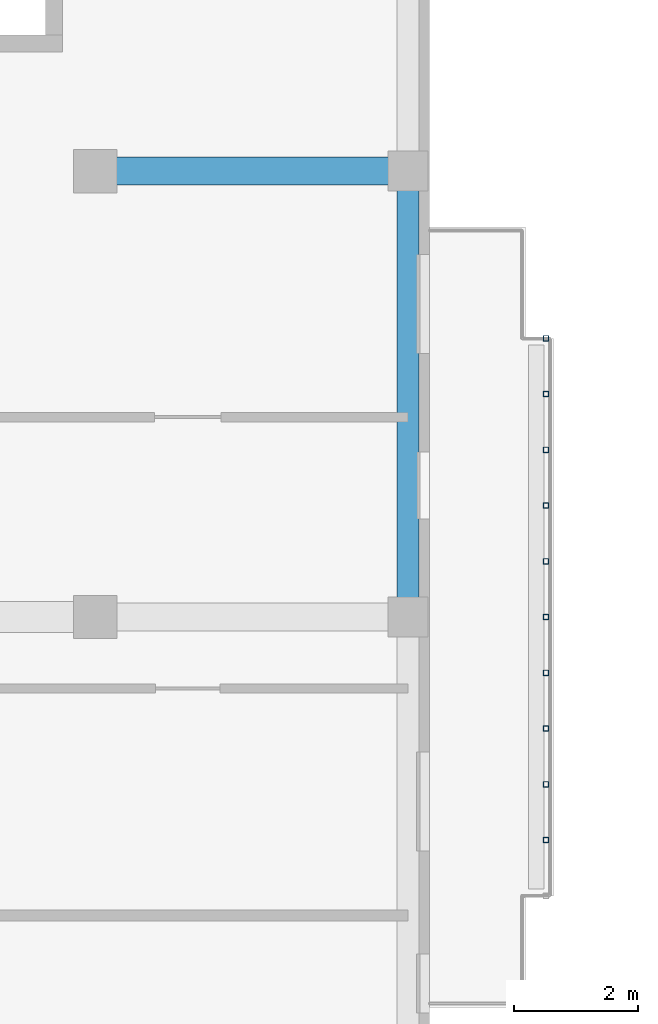
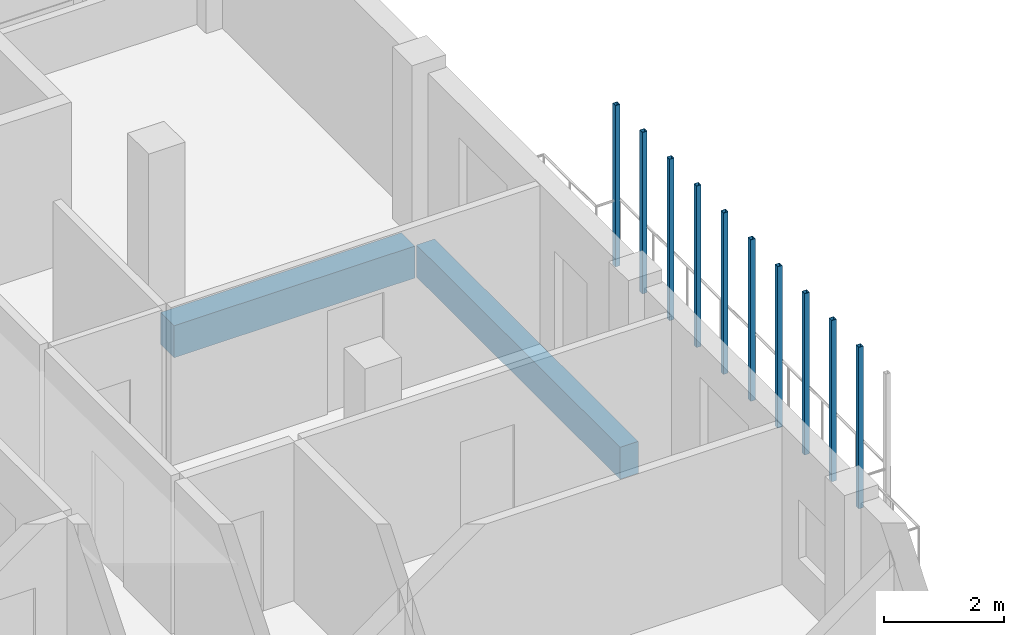
# One storey, part 10 of 73: 10 members, 2 beams.
"""IFC4 building model written with IfcOpenShell, lengths in metres."""

from ifc_helpers import new_model, si_unit, derived_unit, direction, frame, origin, origin_2d, place, context, subcontext, project, spatial, rectangle, hollow_rectangle, extrude, material, material_profile, profile_set, type_object, element, save


model = new_model("IFC4")

# Units and contexts
model_context = context("Model", 3, precision=1e-05, world=origin(), true_north=direction((0.0, 1.0)))
body_context = subcontext(model_context, "Body", "Model", "MODEL_VIEW")
ifc_project = project(units=[si_unit("LENGTHUNIT", "METRE"), si_unit("AREAUNIT", "SQUARE_METRE"), si_unit("VOLUMEUNIT", "CUBIC_METRE"), si_unit("PLANEANGLEUNIT", "RADIAN"), si_unit("MASSUNIT", "GRAM", prefix="KILO"), derived_unit("THERMALTRANSMITTANCEUNIT", [(si_unit("MASSUNIT", "GRAM", prefix="KILO"), 1), (si_unit("TIMEUNIT", "SECOND"), -3), (si_unit("THERMODYNAMICTEMPERATUREUNIT", "KELVIN"), -1)])], contexts=[model_context])

# Site, building, storey
site_placement = place(None, origin())
site = spatial("IfcSite", under=ifc_project, at=site_placement, CompositionType="ELEMENT")
building_placement = place(site_placement, origin())
building = spatial("IfcBuilding", under=site, at=building_placement, Name="Ochrekiln Boulevard Commons", CompositionType="ELEMENT")
storey_placement = place(building_placement, frame((0.0, 0.0, 8.574951171875)))
storey = spatial("IfcBuildingStorey", under=building, at=storey_placement, Name="L02", CompositionType="ELEMENT", Elevation=8.574951171875)

# Beam
ifc_material_1 = material(Name="Concrete C35/45", Category="concrete")
ifc_material_profile_1 = material_profile(ifc_material_1, rectangle(XDim=0.449951171875, YDim=0.64990234375, at=origin_2d()), Name="RC-BM-450x650")
ifc_profile_set_1 = profile_set([ifc_material_profile_1], Name="Concrete C35/45")
beam_type_1 = type_object("IfcBeamType", Name="BM-RC-450x650", PredefinedType="BEAM", material=ifc_profile_set_1)
beam_1_placement = place(storey_placement, frame((16.409912109375, 43.199951171875, -0.5849609375), z_axis=(1.0, 0.0, 0.0), x_axis=(0.0, 1.0, 0.0)))
element("IfcBeam", 1, at=beam_1_placement, inside=storey, type_object=beam_type_1, Name="Block D L02 Beam B-4565 X19", PredefinedType="BEAM", context=body_context, shape_type="SweptSolid", body=[
    extrude(rectangle(XDim=0.449951171875, YDim=0.64990234375, at=origin_2d()), origin(), (0.0, 0.0, 1.0), 4.630126953125),
])

# Members
ifc_material_2 = material(Name="Steel A500 Grade C", Category="steel")
ifc_material_profile_2 = material_profile(ifc_material_2, hollow_rectangle(XDim=0.090087890625, YDim=0.090087890625, WallThickness=0.00634765625, at=origin_2d()), Name="HSS90X90X6.4")
ifc_profile_set_2 = profile_set([ifc_material_profile_2], Name="Steel A500 Grade C")
member_type = type_object("IfcMemberType", Name="MEM-PST-HSS90", PredefinedType="POST", material=ifc_profile_set_2)
for number, where, z_axis, x_axis, name in (
    (2, (23.47998046875, 32.39990234375, 0.0), (0.0, 0.0, 1.0), (1.0, 0.0, 0.0), "Block D L02 Slim Vertical Balcony Post (321)"),
    (3, (23.47998046875, 33.300048828125, 0.0), (0.0, 0.0, 1.0), (1.0, 0.0, 0.0), "Block D L02 Slim Vertical Balcony Post (322)"),
    (4, (23.47998046875, 34.199951171875, 0.0), (0.0, 0.0, 1.0), (1.0, 0.0, 0.0), "Block D L02 Slim Vertical Balcony Post (323)"),
    (5, (23.47998046875, 35.10009765625, 0.0), (0.0, 0.0, 1.0), (1.0, 0.0, 0.0), "Block D L02 Slim Vertical Balcony Post (324)"),
    (6, (23.47998046875, 36.0, 0.0), (0.0, 0.0, 1.0), (1.0, 0.0, 0.0), "Block D L02 Slim Vertical Balcony Post (325)"),
    (7, (23.47998046875, 36.89990234375, 0.0), (0.0, 0.0, 1.0), (1.0, 0.0, 0.0), "Block D L02 Slim Vertical Balcony Post (326)"),
    (8, (23.47998046875, 37.800048828125, 0.0), (0.0, 0.0, 1.0), (1.0, 0.0, 0.0), "Block D L02 Slim Vertical Balcony Post (327)"),
    (9, (23.47998046875, 38.699951171875, 0.0), (0.0, 0.0, 1.0), (1.0, 0.0, 0.0), "Block D L02 Slim Vertical Balcony Post (328)"),
    (10, (23.47998046875, 39.60009765625, 0.0), (0.0, 0.0, 1.0), (1.0, 0.0, 0.0), "Block D L02 Slim Vertical Balcony Post (329)"),
    (11, (23.47998046875, 40.5, 0.0), (0.0, 0.0, 1.0), (1.0, 0.0, 0.0), "Block D L02 Slim Vertical Balcony Post (330)"),
):
    element("IfcMember", number, at=place(storey_placement, frame(where, z_axis=z_axis, x_axis=x_axis)), inside=storey, type_object=member_type, Name=name, PredefinedType="POST", context=body_context, shape_type="SweptSolid", body=[
        extrude(hollow_rectangle(XDim=0.090087890625, YDim=0.090087890625, WallThickness=0.00634765625, at=origin_2d()), origin(), (0.0, 0.0, 1.0), 3.280029296875),
    ])

# Beam
ifc_material_3 = material(Name="Concrete C40/50", Category="concrete")
ifc_material_profile_3 = material_profile(ifc_material_3, rectangle(XDim=0.35009765625, YDim=0.64990234375, at=origin_2d()), Name="RC-SPN-350x650")
ifc_profile_set_3 = profile_set([ifc_material_profile_3], Name="Concrete C40/50")
beam_type_2 = type_object("IfcBeamType", Name="SPN-RC-350x650", PredefinedType="SPANDREL", material=ifc_profile_set_3)
beam_2_placement = place(storey_placement, frame((21.25, 36.2099609375, -0.5849609375), z_axis=(0.0, 1.0, 0.0), x_axis=(-1.0, 0.0, 0.0)))
element("IfcBeam", 12, at=beam_2_placement, inside=storey, type_object=beam_type_2, Name="Block D L02 Beam SP-3565 Y35", PredefinedType="SPANDREL", context=body_context, shape_type="SweptSolid", body=[
    extrude(rectangle(XDim=0.35009765625, YDim=0.64990234375, at=origin_2d()), origin(), (0.0, 0.0, 1.0), 6.780029296875),
])

save(model, "model.ifc")
